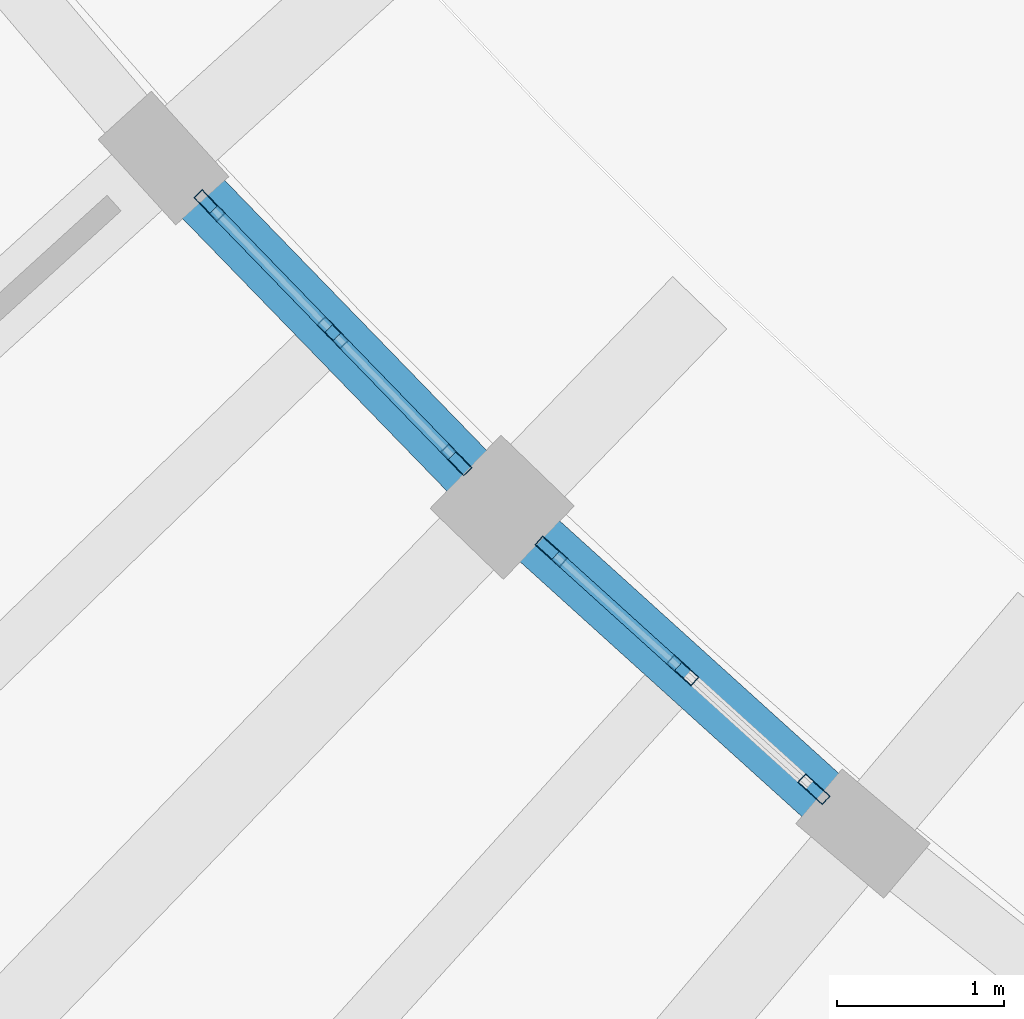
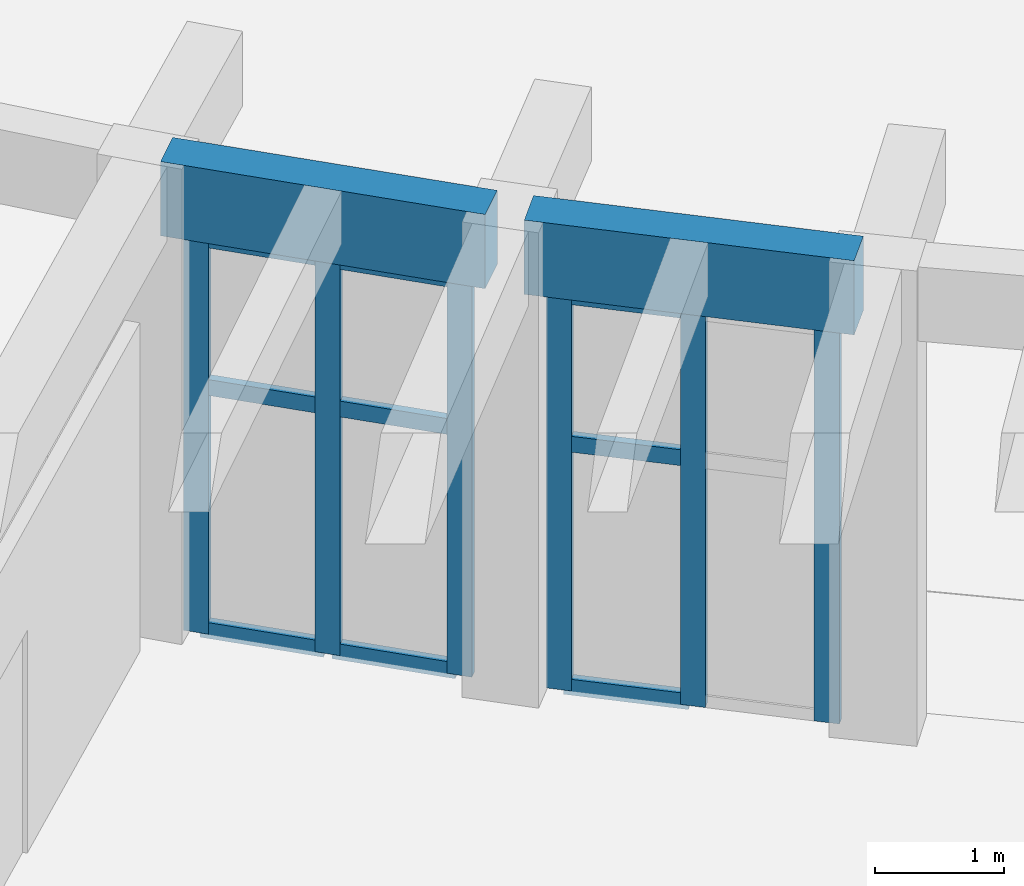
# One storey, part 9 of 132: 15 members, 2 beams, 2 elements without a shape of their own.
"""IFC4 building model written with IfcOpenShell, lengths in metres."""

from ifc_helpers import new_model, si_unit, direction, frame, origin, origin_2d, place, context, subcontext, project, spatial, rectangle, hollow_rectangle, extrude, material, material_profile, profile_set, type_object, element, aggregate, save


model = new_model("IFC4")

# Units and contexts
model_context = context("Model", 3, precision=1e-05, world=origin(), true_north=direction((0.0, 1.0)))
body_context = subcontext(model_context, "Body", "Model", "MODEL_VIEW")
ifc_project = project(units=[si_unit("LENGTHUNIT", "METRE"), si_unit("AREAUNIT", "SQUARE_METRE"), si_unit("VOLUMEUNIT", "CUBIC_METRE"), si_unit("PLANEANGLEUNIT", "RADIAN"), si_unit("MASSUNIT", "GRAM", prefix="KILO")], contexts=[model_context])

# Site, building, storey
site_placement = place(None, origin())
site = spatial("IfcSite", under=ifc_project, at=site_placement, CompositionType="ELEMENT")
building_placement = place(site_placement, origin())
building = spatial("IfcBuilding", under=site, at=building_placement, Name="Tanwirah Colonnade Gardens", CompositionType="ELEMENT")
storey_placement = place(building_placement, origin())
storey = spatial("IfcBuildingStorey", under=building, at=storey_placement, Name="L00", CompositionType="ELEMENT", Elevation=0.0)

# Curtain wall, members
ifc_material_1 = material(Name="Bronze-anodised aluminium and solar-control low-E glass", Category="aluminium")
curtain_wall_type = type_object("IfcCurtainWallType", Name="CW-GDN", PredefinedType="NOTDEFINED", material=ifc_material_1)
curtain_wall_1_placement = place(storey_placement, origin())
curtain_wall_1 = element("IfcCurtainWall", 1, at=curtain_wall_1_placement, inside=storey, type_object=curtain_wall_type, Name="Curtain Wall CW-C-L00-IN-07", PredefinedType="NOTDEFINED")
ifc_material_2 = material(Name="Bronze-anodised aluminium", Category="aluminium")
ifc_material_profile_1 = material_profile(ifc_material_2, hollow_rectangle(XDim=0.070068359375, YDim=0.199951171875, WallThickness=0.00390625, at=origin_2d()), Name="CW-MUL 70x200x4")
ifc_profile_set_1 = profile_set([ifc_material_profile_1], Name="Bronze-anodised aluminium")
member_type_1 = type_object("IfcMemberType", Name="CWM-70x200", PredefinedType="MULLION", material=ifc_profile_set_1)
member_1_placement = place(storey_placement, frame((32.372314453125, 34.329833984375, 0.0), z_axis=(0.0, 0.0, 1.0), x_axis=(0.717825107678, 0.696223466127, 0.0)))
member_1 = element("IfcMember", 2, at=member_1_placement, type_object=member_type_1, Name="CW-GDN mullion 1", PredefinedType="MULLION", context=body_context, shape_type="SweptSolid", body=[
    extrude(hollow_rectangle(XDim=0.070068359375, YDim=0.199951171875, WallThickness=0.00390625, at=origin_2d()), origin(), (0.0, 0.0, 1.0), 3.7548828125),
])
member_2_placement = place(storey_placement, frame((33.10986328125, 33.5693359375, 0.0), z_axis=(0.0, 0.0, 1.0), x_axis=(0.717825107678, 0.696223466127, 0.0)))
member_2 = element("IfcMember", 3, at=member_2_placement, type_object=member_type_1, Name="CW-GDN mullion 2", PredefinedType="MULLION", context=body_context, shape_type="SweptSolid", body=[
    extrude(hollow_rectangle(XDim=0.070068359375, YDim=0.199951171875, WallThickness=0.00390625, at=origin_2d()), origin(), (0.0, 0.0, 1.0), 3.7548828125),
])
member_3_placement = place(storey_placement, frame((33.847412109375, 32.808837890625, 0.0), z_axis=(0.0, 0.0, 1.0), x_axis=(0.717825107678, 0.696223466127, 0.0)))
member_3 = element("IfcMember", 4, at=member_3_placement, type_object=member_type_1, Name="CW-GDN mullion 3", PredefinedType="MULLION", context=body_context, shape_type="SweptSolid", body=[
    extrude(hollow_rectangle(XDim=0.070068359375, YDim=0.199951171875, WallThickness=0.00390625, at=origin_2d()), origin(), (0.0, 0.0, 1.0), 3.7548828125),
])

curtain_wall_2_placement = place(storey_placement, origin())
curtain_wall_2 = element("IfcCurtainWall", 5, at=curtain_wall_2_placement, inside=storey, type_object=curtain_wall_type, Name="Curtain Wall CW-C-L00-IN-08", PredefinedType="NOTDEFINED")
member_4_placement = place(storey_placement, frame((34.415283203125, 32.260498046875, 0.0), z_axis=(0.0, 0.0, 1.0), x_axis=(0.670750964954, 0.741682643058, 0.0)))
member_4 = element("IfcMember", 6, at=member_4_placement, type_object=member_type_1, Name="CW-GDN mullion 1", PredefinedType="MULLION", context=body_context, shape_type="SweptSolid", body=[
    extrude(hollow_rectangle(XDim=0.070068359375, YDim=0.199951171875, WallThickness=0.00390625, at=origin_2d()), origin(), (0.0, 0.0, 1.0), 3.7548828125),
])
member_5_placement = place(storey_placement, frame((35.201171875, 31.5498046875, 0.0), z_axis=(0.0, 0.0, 1.0), x_axis=(0.670750964954, 0.741682643058, 0.0)))
member_5 = element("IfcMember", 7, at=member_5_placement, type_object=member_type_1, Name="CW-GDN mullion 2", PredefinedType="MULLION", context=body_context, shape_type="SweptSolid", body=[
    extrude(hollow_rectangle(XDim=0.070068359375, YDim=0.199951171875, WallThickness=0.00390625, at=origin_2d()), origin(), (0.0, 0.0, 1.0), 3.7548828125),
])
member_6_placement = place(storey_placement, frame((35.98681640625, 30.83935546875, 0.0), z_axis=(0.0, 0.0, 1.0), x_axis=(0.670750964954, 0.741682643058, 0.0)))
member_6 = element("IfcMember", 8, at=member_6_placement, type_object=member_type_1, Name="CW-GDN mullion 3", PredefinedType="MULLION", context=body_context, shape_type="SweptSolid", body=[
    extrude(hollow_rectangle(XDim=0.070068359375, YDim=0.199951171875, WallThickness=0.00390625, at=origin_2d()), origin(), (0.0, 0.0, 1.0), 3.7548828125),
])

# Member
ifc_material_profile_2 = material_profile(ifc_material_2, hollow_rectangle(XDim=0.070068359375, YDim=0.14990234375, WallThickness=0.00390625, at=origin_2d()), Name="CW-TRN 70x150x4")
ifc_profile_set_2 = profile_set([ifc_material_profile_2], Name="Bronze-anodised aluminium")
member_type_2 = type_object("IfcMemberType", Name="CWT-70x150", PredefinedType="USERDEFINED", material=ifc_profile_set_2)
member_7_placement = place(storey_placement, frame((32.396728515625, 34.3046875, 0.034912109375), z_axis=(0.696165106351, -0.71788170662, 0.0), x_axis=(0.71788170662, 0.696165106351, 0.0)))
member_7 = element("IfcMember", 9, at=member_7_placement, type_object=member_type_2, Name="CW-GDN transom 1.1", ObjectType="TRANSOM", PredefinedType="USERDEFINED", context=body_context, shape_type="SweptSolid", body=[
    extrude(hollow_rectangle(XDim=0.070068359375, YDim=0.14990234375, WallThickness=0.00390625, at=origin_2d()), origin(), (0.0, 0.0, 1.0), 0.9892578125),
])

member_8_placement = place(storey_placement, frame((32.396728515625, 34.3046875, 2.328125), z_axis=(0.696165106351, -0.71788170662, 0.0), x_axis=(0.71788170662, 0.696165106351, 0.0)))
member_8 = element("IfcMember", 10, at=member_8_placement, type_object=member_type_2, Name="CW-GDN transom 1.2", ObjectType="TRANSOM", PredefinedType="USERDEFINED", context=body_context, shape_type="SweptSolid", body=[
    extrude(hollow_rectangle(XDim=0.070068359375, YDim=0.14990234375, WallThickness=0.00390625, at=origin_2d()), origin(), (0.0, 0.0, 1.0), 0.9892578125),
])

member_9_placement = place(storey_placement, frame((32.396728515625, 34.3046875, 3.719970703125), z_axis=(0.696165106351, -0.71788170662, 0.0), x_axis=(0.71788170662, 0.696165106351, 0.0)))
member_9 = element("IfcMember", 11, at=member_9_placement, type_object=member_type_2, Name="CW-GDN transom 1.3", ObjectType="TRANSOM", PredefinedType="USERDEFINED", context=body_context, shape_type="SweptSolid", body=[
    extrude(hollow_rectangle(XDim=0.070068359375, YDim=0.14990234375, WallThickness=0.00390625, at=origin_2d()), origin(), (0.0, 0.0, 1.0), 0.9892578125),
])

member_10_placement = place(storey_placement, frame((33.13427734375, 33.544189453125, 0.034912109375), z_axis=(0.696165106351, -0.71788170662, 0.0), x_axis=(0.71788170662, 0.696165106351, 0.0)))
member_10 = element("IfcMember", 12, at=member_10_placement, type_object=member_type_2, Name="CW-GDN transom 2.1", ObjectType="TRANSOM", PredefinedType="USERDEFINED", context=body_context, shape_type="SweptSolid", body=[
    extrude(hollow_rectangle(XDim=0.070068359375, YDim=0.14990234375, WallThickness=0.00390625, at=origin_2d()), origin(), (0.0, 0.0, 1.0), 0.9892578125),
])

member_11_placement = place(storey_placement, frame((33.13427734375, 33.544189453125, 2.328125), z_axis=(0.696165106351, -0.71788170662, 0.0), x_axis=(0.71788170662, 0.696165106351, 0.0)))
member_11 = element("IfcMember", 13, at=member_11_placement, type_object=member_type_2, Name="CW-GDN transom 2.2", ObjectType="TRANSOM", PredefinedType="USERDEFINED", context=body_context, shape_type="SweptSolid", body=[
    extrude(hollow_rectangle(XDim=0.070068359375, YDim=0.14990234375, WallThickness=0.00390625, at=origin_2d()), origin(), (0.0, 0.0, 1.0), 0.9892578125),
])

member_12_placement = place(storey_placement, frame((33.13427734375, 33.544189453125, 3.719970703125), z_axis=(0.696165106351, -0.71788170662, 0.0), x_axis=(0.71788170662, 0.696165106351, 0.0)))
member_12 = element("IfcMember", 14, at=member_12_placement, type_object=member_type_2, Name="CW-GDN transom 2.3", ObjectType="TRANSOM", PredefinedType="USERDEFINED", context=body_context, shape_type="SweptSolid", body=[
    extrude(hollow_rectangle(XDim=0.070068359375, YDim=0.14990234375, WallThickness=0.00390625, at=origin_2d()), origin(), (0.0, 0.0, 1.0), 0.9892578125),
])

aggregate(curtain_wall_1, [member_1, member_2, member_3, member_7, member_8, member_9, member_10, member_11, member_12])

member_13_placement = place(storey_placement, frame((34.44140625, 32.23681640625, 0.034912109375), z_axis=(0.74163516815, -0.670803456583, 0.0), x_axis=(0.670803456583, 0.74163516815, 0.0)))
member_13 = element("IfcMember", 15, at=member_13_placement, type_object=member_type_2, Name="CW-GDN transom 1.1", ObjectType="TRANSOM", PredefinedType="USERDEFINED", context=body_context, shape_type="SweptSolid", body=[
    extrude(hollow_rectangle(XDim=0.070068359375, YDim=0.14990234375, WallThickness=0.00390625, at=origin_2d()), origin(), (0.0, 0.0, 1.0), 0.9892578125),
])

member_14_placement = place(storey_placement, frame((34.44140625, 32.23681640625, 2.328125), z_axis=(0.74163516815, -0.670803456583, 0.0), x_axis=(0.670803456583, 0.74163516815, 0.0)))
member_14 = element("IfcMember", 16, at=member_14_placement, type_object=member_type_2, Name="CW-GDN transom 1.2", ObjectType="TRANSOM", PredefinedType="USERDEFINED", context=body_context, shape_type="SweptSolid", body=[
    extrude(hollow_rectangle(XDim=0.070068359375, YDim=0.14990234375, WallThickness=0.00390625, at=origin_2d()), origin(), (0.0, 0.0, 1.0), 0.9892578125),
])

member_15_placement = place(storey_placement, frame((34.44140625, 32.23681640625, 3.719970703125), z_axis=(0.74163516815, -0.670803456583, 0.0), x_axis=(0.670803456583, 0.74163516815, 0.0)))
member_15 = element("IfcMember", 17, at=member_15_placement, type_object=member_type_2, Name="CW-GDN transom 1.3", ObjectType="TRANSOM", PredefinedType="USERDEFINED", context=body_context, shape_type="SweptSolid", body=[
    extrude(hollow_rectangle(XDim=0.070068359375, YDim=0.14990234375, WallThickness=0.00390625, at=origin_2d()), origin(), (0.0, 0.0, 1.0), 0.9892578125),
])

aggregate(curtain_wall_2, [member_4, member_5, member_6, member_13, member_14, member_15])

# Beams
ifc_material_3 = material(Name="Precast concrete C45/55", Category="concrete")
ifc_material_profile_3 = material_profile(ifc_material_3, rectangle(XDim=0.340087890625, YDim=0.699951171875, at=origin_2d()), Name="PC-SP 340x700")
ifc_profile_set_3 = profile_set([ifc_material_profile_3], Name="Precast concrete C45/55")
beam_type = type_object("IfcBeamType", Name="SP-PC340", PredefinedType="SPANDREL", material=ifc_profile_set_3)
beam_1_placement = place(storey_placement, frame((32.20166015625, 34.505615234375, 4.135009765625), z_axis=(0.696262751108, -0.717787002822, 0.0), x_axis=(0.717787002822, 0.696262751108, 0.0)))
element("IfcBeam", 18, at=beam_1_placement, inside=storey, type_object=beam_type, Name="Block C L00 Circumferential Beam 7-R0", PredefinedType="SPANDREL", context=body_context, shape_type="SweptSolid", body=[
    extrude(rectangle(XDim=0.340087890625, YDim=0.699951171875, at=origin_2d()), origin(), (0.0, 0.0, 1.0), 2.60888671875),
])
beam_2_placement = place(storey_placement, frame((34.233642578125, 32.4248046875, 4.135009765625), z_axis=(0.741686528432, -0.670746668678, 0.0), x_axis=(0.670746668678, 0.741686528432, 0.0)))
element("IfcBeam", 19, at=beam_2_placement, inside=storey, type_object=beam_type, Name="Block C L00 Circumferential Beam 8-R0", PredefinedType="SPANDREL", context=body_context, shape_type="SweptSolid", body=[
    extrude(rectangle(XDim=0.340087890625, YDim=0.699951171875, at=origin_2d()), origin(), (0.0, 0.0, 1.0), 2.608642578125),
])

save(model, "model.ifc")
